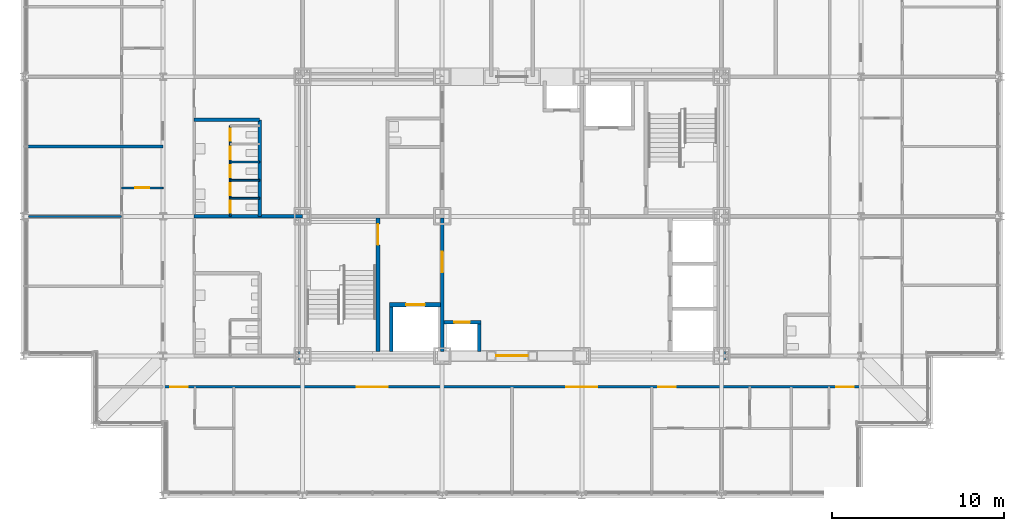
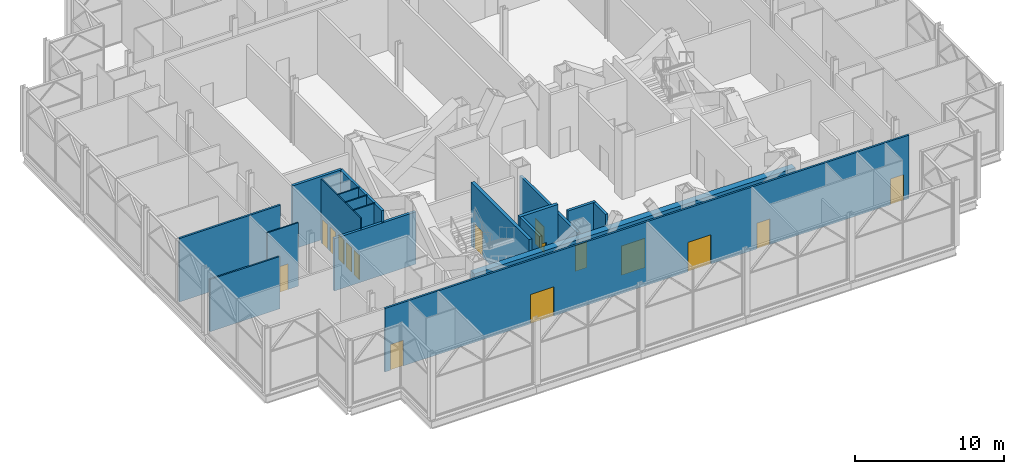
# One storey, part 19 of 26: 18 walls, 16 doors, 16 openings.
"""IFC4 building model written with IfcOpenShell, lengths in metres."""

from ifc_helpers import new_model, si_unit, direction, frame, frame_2d, origin, place, context, subcontext, project, spatial, rectangle, extrude, material, layer, layer_set, type_object, element, fill, save


model = new_model("IFC4")

# Units and contexts
model_context = context("Model", 3, precision=1e-05, world=origin(), true_north=direction((0.0, 1.0)))
body_context = subcontext(model_context, "Body", "Model", "MODEL_VIEW")
ifc_project = project(units=[si_unit("LENGTHUNIT", "METRE"), si_unit("AREAUNIT", "SQUARE_METRE"), si_unit("VOLUMEUNIT", "CUBIC_METRE"), si_unit("PLANEANGLEUNIT", "RADIAN"), si_unit("MASSUNIT", "GRAM", prefix="KILO")], contexts=[model_context])

# Site, building, storey
site_placement = place(None, origin())
site = spatial("IfcSite", under=ifc_project, at=site_placement, CompositionType="ELEMENT")
building_placement = place(site_placement, origin())
building = spatial("IfcBuilding", under=site, at=building_placement, Name="Kopane Lantern Tower", CompositionType="ELEMENT")
storey_placement = place(building_placement, frame((0.0, 0.0, 293.10009765625)))
storey = spatial("IfcBuildingStorey", under=building, at=storey_placement, Name="L75", CompositionType="ELEMENT", Elevation=293.10009765625)

# Wall
ifc_material_1 = material(Name="Gypsum board on steel studs", Category="steel")
ifc_layer_1 = layer(ifc_material_1, 0.1201171875)
ifc_layer_set_1 = layer_set([ifc_layer_1], Name="APARTMENT INTERNAL WALL 120")
wall_type_1 = type_object("IfcWallType", Name="APARTMENT INTERNAL WALL 120", PredefinedType="PARTITIONING", material=ifc_layer_set_1)
wall_1_placement = place(storey_placement, frame((5.699951171875, 32.39990234375, 0.0), z_axis=(0.0, 0.0, 1.0), x_axis=(-1.0, 0.0, 0.0)))
element("IfcWall", 1, at=wall_1_placement, inside=storey, type_object=wall_type_1, Name="Apartment Internal Wall 120 L75", PredefinedType="PARTITIONING", context=body_context, shape_type="SweptSolid", body=[
    extrude(rectangle(XDim=5.39990234375, YDim=0.1201171875, at=frame_2d((2.699951171875, 0.0))), origin(), (0.0, 0.0, 1.0), 4.271484375),
])

# Wall, opening, door
ifc_material_2 = material(Name="Moisture-resistant board on steel studs", Category="steel")
ifc_layer_2 = layer(ifc_material_2, 0.10009765625)
ifc_layer_set_2 = layer_set([ifc_layer_2], Name="BATHROOM WALL 100")
wall_type_2 = type_object("IfcWallType", Name="BATHROOM WALL 100", PredefinedType="PARTITIONING", material=ifc_layer_set_2)
wall_2_placement = place(storey_placement, frame((8.10009765625, 34.050048828125, 0.0), z_axis=(0.0, 0.0, 1.0), x_axis=(-1.0, 0.0, 0.0)))
wall_2 = element("IfcWall", 2, at=wall_2_placement, inside=storey, type_object=wall_type_2, Name="Bathroom Wall 100 L75", PredefinedType="PARTITIONING", context=body_context, shape_type="SweptSolid", body=[
    extrude(rectangle(XDim=2.400146484375, YDim=0.10009765625, at=frame_2d((1.2001953125, 0.0))), origin(), (0.0, 0.0, 1.0), 5.18994140625),
])
opening_1_placement = place(wall_2_placement, frame((0.800048828125, 0.0, 0.0)))
opening_1 = element("IfcOpeningElement", 3, at=opening_1_placement, cuts=wall_2, Name="Opening L75-037", PredefinedType="OPENING", context=body_context, shape_type="SweptSolid", body=[
    extrude(rectangle(XDim=0.800048828125, YDim=2.10009765625, at=frame_2d((0.39990234375, 1.050048828125))), frame((0.0, 0.06005859375, 0.0), z_axis=(0.0, -1.0, 0.0), x_axis=(1.0, 0.0, 0.0)), (0.0, 0.0, 1.0), 0.1201171875),
])
ifc_material_3 = material(Name="Timber door set", Category="wood")
door_type_1 = type_object("IfcDoorType", Name="DOOR D2 800x2100", OperationType="SINGLE_SWING_LEFT", PredefinedType="DOOR", material=ifc_material_3)
door_1_placement = place(opening_1_placement, origin())
door_1 = element("IfcDoor", 4, at=door_1_placement, inside=storey, type_object=door_type_1, Name="Door L75-037", OperationType="SINGLE_SWING_RIGHT", OverallHeight=2.10009765625, OverallWidth=0.800048828125, PredefinedType="DOOR", context=body_context, shape_type="SweptSolid", body=[
    extrude(rectangle(XDim=0.800048828125, YDim=2.10009765625, at=frame_2d((0.39990234375, 1.050048828125))), frame((0.0, 0.02490234375, 0.0), z_axis=(0.0, -1.0, 0.0), x_axis=(1.0, 0.0, 0.0)), (0.0, 0.0, 1.0), 0.050048828125),
])
fill(opening_1, door_1)

# Wall, openings, doors
wall_3_placement = place(storey_placement, frame((12.0, 32.39990234375, 0.0), z_axis=(0.0, 0.0, 1.0), x_axis=(0.0, 1.0, 0.0)))
wall_3 = element("IfcWall", 5, at=wall_3_placement, inside=storey, type_object=wall_type_2, Name="Bathroom Wall 100 L75", PredefinedType="PARTITIONING", context=body_context, shape_type="SweptSolid", body=[
    extrude(rectangle(XDim=5.25, YDim=0.10009765625, at=frame_2d((2.625, 0.0))), origin(), (0.0, 0.0, 1.0), 5.18994140625),
])
opening_2_placement = place(wall_3_placement, frame((0.199951171875, 0.0, 0.0)))
opening_2 = element("IfcOpeningElement", 6, at=opening_2_placement, cuts=wall_3, Name="Opening L75-077", PredefinedType="OPENING", context=body_context, shape_type="SweptSolid", body=[
    extrude(rectangle(XDim=0.699951171875, YDim=2.0, at=frame_2d((0.35009765625, 1.0))), frame((0.0, 0.06005859375, 0.0), z_axis=(0.0, -1.0, 0.0), x_axis=(1.0, 0.0, 0.0)), (0.0, 0.0, 1.0), 0.1201171875),
])
opening_3_placement = place(wall_3_placement, frame((1.22509765625, 0.0, 0.0)))
opening_3 = element("IfcOpeningElement", 7, at=opening_3_placement, cuts=wall_3, Name="Opening L75-078", PredefinedType="OPENING", context=body_context, shape_type="SweptSolid", body=[
    extrude(rectangle(XDim=0.699951171875, YDim=2.0, at=frame_2d((0.35009765625, 1.0))), frame((0.0, 0.06005859375, 0.0), z_axis=(0.0, -1.0, 0.0), x_axis=(1.0, 0.0, 0.0)), (0.0, 0.0, 1.0), 0.1201171875),
])
opening_4_placement = place(wall_3_placement, frame((2.27490234375, 0.0, 0.0)))
opening_4 = element("IfcOpeningElement", 8, at=opening_4_placement, cuts=wall_3, Name="Opening L75-079", PredefinedType="OPENING", context=body_context, shape_type="SweptSolid", body=[
    extrude(rectangle(XDim=0.699951171875, YDim=2.0, at=frame_2d((0.35009765625, 1.0))), frame((0.0, 0.06005859375, 0.0), z_axis=(0.0, -1.0, 0.0), x_axis=(1.0, 0.0, 0.0)), (0.0, 0.0, 1.0), 0.1201171875),
])
opening_5_placement = place(wall_3_placement, frame((3.324951171875, 0.0, 0.0)))
opening_5 = element("IfcOpeningElement", 9, at=opening_5_placement, cuts=wall_3, Name="Opening L75-080", PredefinedType="OPENING", context=body_context, shape_type="SweptSolid", body=[
    extrude(rectangle(XDim=0.699951171875, YDim=2.0, at=frame_2d((0.35009765625, 1.0))), frame((0.0, 0.06005859375, 0.0), z_axis=(0.0, -1.0, 0.0), x_axis=(1.0, 0.0, 0.0)), (0.0, 0.0, 1.0), 0.1201171875),
])
opening_6_placement = place(wall_3_placement, frame((4.375, 0.0, 0.0)))
opening_6 = element("IfcOpeningElement", 10, at=opening_6_placement, cuts=wall_3, Name="Opening L75-081", PredefinedType="OPENING", context=body_context, shape_type="SweptSolid", body=[
    extrude(rectangle(XDim=0.699951171875, YDim=2.0, at=frame_2d((0.35009765625, 1.0))), frame((0.0, 0.06005859375, 0.0), z_axis=(0.0, -1.0, 0.0), x_axis=(1.0, 0.0, 0.0)), (0.0, 0.0, 1.0), 0.1201171875),
])
ifc_material_4 = material(Name="Timber door set", Category="wood")
door_type_2 = type_object("IfcDoorType", Name="DOOR D13 700x2000 WC CUBICLE", OperationType="SINGLE_SWING_LEFT", PredefinedType="DOOR", material=ifc_material_4)
door_2_placement = place(opening_2_placement, origin())
door_2 = element("IfcDoor", 11, at=door_2_placement, inside=storey, type_object=door_type_2, Name="Door L75-077", OperationType="SINGLE_SWING_RIGHT", OverallHeight=2.0, OverallWidth=0.699951171875, PredefinedType="DOOR", context=body_context, shape_type="SweptSolid", body=[
    extrude(rectangle(XDim=0.699951171875, YDim=2.0, at=frame_2d((0.35009765625, 1.0))), frame((0.0, 0.02490234375, 0.0), z_axis=(0.0, -1.0, 0.0), x_axis=(1.0, 0.0, 0.0)), (0.0, 0.0, 1.0), 0.050048828125),
])
fill(opening_2, door_2)
door_3_placement = place(opening_3_placement, origin())
door_3 = element("IfcDoor", 12, at=door_3_placement, inside=storey, type_object=door_type_2, Name="Door L75-078", OperationType="SINGLE_SWING_RIGHT", OverallHeight=2.0, OverallWidth=0.699951171875, PredefinedType="DOOR", context=body_context, shape_type="SweptSolid", body=[
    extrude(rectangle(XDim=0.699951171875, YDim=2.0, at=frame_2d((0.35009765625, 1.0))), frame((0.0, 0.02490234375, 0.0), z_axis=(0.0, -1.0, 0.0), x_axis=(1.0, 0.0, 0.0)), (0.0, 0.0, 1.0), 0.050048828125),
])
fill(opening_3, door_3)
door_4_placement = place(opening_4_placement, origin())
door_4 = element("IfcDoor", 13, at=door_4_placement, inside=storey, type_object=door_type_2, Name="Door L75-079", OperationType="SINGLE_SWING_RIGHT", OverallHeight=2.0, OverallWidth=0.699951171875, PredefinedType="DOOR", context=body_context, shape_type="SweptSolid", body=[
    extrude(rectangle(XDim=0.699951171875, YDim=2.0, at=frame_2d((0.35009765625, 1.0))), frame((0.0, 0.02490234375, 0.0), z_axis=(0.0, -1.0, 0.0), x_axis=(1.0, 0.0, 0.0)), (0.0, 0.0, 1.0), 0.050048828125),
])
fill(opening_4, door_4)
door_5_placement = place(opening_5_placement, origin())
door_5 = element("IfcDoor", 14, at=door_5_placement, inside=storey, type_object=door_type_2, Name="Door L75-080", OperationType="SINGLE_SWING_RIGHT", OverallHeight=2.0, OverallWidth=0.699951171875, PredefinedType="DOOR", context=body_context, shape_type="SweptSolid", body=[
    extrude(rectangle(XDim=0.699951171875, YDim=2.0, at=frame_2d((0.35009765625, 1.0))), frame((0.0, 0.02490234375, 0.0), z_axis=(0.0, -1.0, 0.0), x_axis=(1.0, 0.0, 0.0)), (0.0, 0.0, 1.0), 0.050048828125),
])
fill(opening_5, door_5)
door_6_placement = place(opening_6_placement, origin())
door_6 = element("IfcDoor", 15, at=door_6_placement, inside=storey, type_object=door_type_2, Name="Door L75-081", OperationType="SINGLE_SWING_RIGHT", OverallHeight=2.0, OverallWidth=0.699951171875, PredefinedType="DOOR", context=body_context, shape_type="SweptSolid", body=[
    extrude(rectangle(XDim=0.699951171875, YDim=2.0, at=frame_2d((0.35009765625, 1.0))), frame((0.0, 0.02490234375, 0.0), z_axis=(0.0, -1.0, 0.0), x_axis=(1.0, 0.0, 0.0)), (0.0, 0.0, 1.0), 0.050048828125),
])
fill(opening_6, door_6)

# Walls
for number, where, z_axis, x_axis, name in (
    (16, (12.0, 33.449951171875, 0.0), (0.0, 0.0, 1.0), (1.0, 0.0, 0.0), "Bathroom Wall 100 L75"),
    (17, (12.0, 34.5, 0.0), (0.0, 0.0, 1.0), (1.0, 0.0, 0.0), "Bathroom Wall 100 L75"),
    (18, (12.0, 35.550048828125, 0.0), (0.0, 0.0, 1.0), (1.0, 0.0, 0.0), "Bathroom Wall 100 L75"),
):
    element("IfcWall", number, at=place(storey_placement, frame(where, z_axis=z_axis, x_axis=x_axis)), inside=storey, type_object=wall_type_2, Name=name, PredefinedType="PARTITIONING", context=body_context, shape_type="SweptSolid", body=[
        extrude(rectangle(XDim=1.699951171875, YDim=0.10009765625, at=frame_2d((0.85009765625, 0.0))), origin(), (0.0, 0.0, 1.0), 5.18994140625),
    ])

# Wall, opening, door
ifc_material_5 = material(Name="Gypsum shaft wall EI 120", Category="gypsum")
ifc_layer_3 = layer(ifc_material_5, 0.5)
ifc_layer_set_3 = layer_set([ifc_layer_3], Name="CORE PERIMETER WALL 500 EI 120")
wall_type_3 = type_object("IfcWallType", Name="CORE PERIMETER WALL 500 EI 120", PredefinedType="SOLIDWALL", material=ifc_layer_set_3)
wall_4_placement = place(storey_placement, frame((15.949951171875, 24.300048828125, 0.0), z_axis=(0.0, 0.0, 1.0), x_axis=(1.0, 0.0, 0.0)))
wall_4 = element("IfcWall", 19, at=wall_4_placement, inside=storey, type_object=wall_type_3, Name="Core shaft wall L75 PS", PredefinedType="SOLIDWALL", context=body_context, shape_type="SweptSolid", body=[
    extrude(rectangle(XDim=24.800048828125, YDim=0.5, at=frame_2d((12.39990234375, 0.0))), origin(), (0.0, 0.0, 1.0), 4.271484375),
])
opening_7_placement = place(wall_4_placement, frame((11.5, 0.0, 0.0)))
opening_7 = element("IfcOpeningElement", 20, at=opening_7_placement, cuts=wall_4, Name="Opening 75.CE-S", PredefinedType="OPENING", context=body_context, shape_type="SweptSolid", body=[
    extrude(rectangle(XDim=1.800048828125, YDim=2.39990234375, at=frame_2d((0.89990234375, 1.199951171875))), frame((0.0, 0.260009765625, 0.0), z_axis=(0.0, -1.0, 0.0), x_axis=(1.0, 0.0, 0.0)), (0.0, 0.0, 1.0), 0.52001953125),
])
ifc_material_6 = material(Name="Steel door set", Category="steel")
door_type_3 = type_object("IfcDoorType", Name="CORE ENTRY DOOR 1800x2400 FD60S", OperationType="DOUBLE_DOOR_SINGLE_SWING", PredefinedType="DOOR", material=ifc_material_6)
door_7_placement = place(opening_7_placement, origin())
door_7 = element("IfcDoor", 21, at=door_7_placement, inside=storey, type_object=door_type_3, Name="Core entry door L75 south", OperationType="DOUBLE_DOOR_SINGLE_SWING", OverallHeight=2.39990234375, OverallWidth=1.800048828125, PredefinedType="DOOR", context=body_context, shape_type="SweptSolid", body=[
    extrude(rectangle(XDim=1.800048828125, YDim=2.39990234375, at=frame_2d((0.89990234375, 1.199951171875))), frame((0.0, 0.02490234375, 0.0), z_axis=(0.0, -1.0, 0.0), x_axis=(1.0, 0.0, 0.0)), (0.0, 0.0, 1.0), 0.050048828125),
])
fill(opening_7, door_7)

ifc_material_7 = material(Name="Gypsum shaft wall EI 120", Category="gypsum")
ifc_layer_4 = layer(ifc_material_7, 0.25)
ifc_layer_set_4 = layer_set([ifc_layer_4], Name="CORE SHAFT WALL 250 EI 120")
wall_type_4 = type_object("IfcWallType", Name="CORE SHAFT WALL 250 EI 120", PredefinedType="SOLIDWALL", material=ifc_layer_set_4)
wall_5_placement = place(storey_placement, frame((20.574951171875, 24.550048828125, 0.0), z_axis=(0.0, 0.0, 1.0), x_axis=(0.0, 1.0, 0.0)))
wall_5 = element("IfcWall", 22, at=wall_5_placement, inside=storey, type_object=wall_type_4, Name="Core shaft wall L75 XST1", PredefinedType="SOLIDWALL", context=body_context, shape_type="SweptSolid", body=[
    extrude(rectangle(XDim=7.75, YDim=0.25, at=frame_2d((3.875, 0.0))), origin(), (0.0, 0.0, 1.0), 5.18994140625),
])
opening_8_placement = place(wall_5_placement, frame((6.199951171875, 0.0, 0.0)))
opening_8 = element("IfcOpeningElement", 23, at=opening_8_placement, cuts=wall_5, Name="Opening 75.SD1", PredefinedType="OPENING", context=body_context, shape_type="SweptSolid", body=[
    extrude(rectangle(XDim=1.199951171875, YDim=2.10009765625, at=frame_2d((0.60009765625, 1.050048828125))), frame((0.0, 0.135009765625, 0.0), z_axis=(0.0, -1.0, 0.0), x_axis=(1.0, 0.0, 0.0)), (0.0, 0.0, 1.0), 0.27001953125),
])
ifc_material_8 = material(Name="Steel door set", Category="steel")
door_type_4 = type_object("IfcDoorType", Name="STAIR DOOR 1200x2100 FD60S", OperationType="SINGLE_SWING_LEFT", PredefinedType="DOOR", material=ifc_material_8)
door_8_placement = place(opening_8_placement, origin())
door_8 = element("IfcDoor", 24, at=door_8_placement, inside=storey, type_object=door_type_4, Name="Stair door ST1 L75", OperationType="SINGLE_SWING_LEFT", OverallHeight=2.10009765625, OverallWidth=1.199951171875, PredefinedType="DOOR", context=body_context, shape_type="SweptSolid", body=[
    extrude(rectangle(XDim=1.199951171875, YDim=2.10009765625, at=frame_2d((0.60009765625, 1.050048828125))), frame((0.0, 0.02490234375, 0.0), z_axis=(0.0, -1.0, 0.0), x_axis=(1.0, 0.0, 0.0)), (0.0, 0.0, 1.0), 0.050048828125),
])
fill(opening_8, door_8)

wall_6_placement = place(storey_placement, frame((21.25, 27.27490234375, 0.0), z_axis=(0.0, 0.0, 1.0), x_axis=(1.0, 0.0, 0.0)))
wall_6 = element("IfcWall", 25, at=wall_6_placement, inside=storey, type_object=wall_type_4, Name="Core shaft wall L75 YLF1", PredefinedType="SOLIDWALL", context=body_context, shape_type="SweptSolid", body=[
    extrude(rectangle(XDim=2.949951171875, YDim=0.25, at=frame_2d((1.47509765625, 0.0))), origin(), (0.0, 0.0, 1.0), 5.18994140625),
])
opening_9_placement = place(wall_6_placement, frame((0.949951171875, 0.0, 0.0)))
opening_9 = element("IfcOpeningElement", 26, at=opening_9_placement, cuts=wall_6, Name="Opening 75.LD-LF1", PredefinedType="OPENING", context=body_context, shape_type="SweptSolid", body=[
    extrude(rectangle(XDim=1.10009765625, YDim=2.39990234375, at=frame_2d((0.550048828125, 1.199951171875))), frame((0.0, 0.135009765625, 0.0), z_axis=(0.0, -1.0, 0.0), x_axis=(1.0, 0.0, 0.0)), (0.0, 0.0, 1.0), 0.27001953125),
])
ifc_material_9 = material(Name="Steel door set", Category="steel")
door_type_5 = type_object("IfcDoorType", Name="LIFT LANDING DOOR 1100x2400 FD60", OperationType="DOUBLE_DOOR_SLIDING", PredefinedType="DOOR", material=ifc_material_9)
door_9_placement = place(opening_9_placement, origin())
door_9 = element("IfcDoor", 27, at=door_9_placement, inside=storey, type_object=door_type_5, Name="Landing door LF1 L75", OperationType="DOUBLE_DOOR_SLIDING", OverallHeight=2.39990234375, OverallWidth=1.10009765625, PredefinedType="DOOR", context=body_context, shape_type="SweptSolid", body=[
    extrude(rectangle(XDim=1.10009765625, YDim=2.39990234375, at=frame_2d((0.550048828125, 1.199951171875))), frame((0.0, 0.02490234375, 0.0), z_axis=(0.0, -1.0, 0.0), x_axis=(1.0, 0.0, 0.0)), (0.0, 0.0, 1.0), 0.050048828125),
])
fill(opening_9, door_9)

# Wall, openings, doors
ifc_material_10 = material(Name="Gypsum board on steel studs", Category="steel")
ifc_layer_5 = layer(ifc_material_10, 0.14990234375)
ifc_layer_set_5 = layer_set([ifc_layer_5], Name="CORRIDOR WALL 150 EI 60")
wall_type_5 = type_object("IfcWallType", Name="CORRIDOR WALL 150 EI 60", PredefinedType="PARTITIONING", material=ifc_layer_set_5)
wall_7_placement = place(storey_placement, frame((8.10009765625, 22.5, 0.0), z_axis=(0.0, 0.0, 1.0), x_axis=(1.0, 0.0, 0.0)))
wall_7 = element("IfcWall", 28, at=wall_7_placement, inside=storey, type_object=wall_type_5, Name="Corridor Wall 150 Ei 60 L75", PredefinedType="PARTITIONING", context=body_context, shape_type="SweptSolid", body=[
    extrude(rectangle(XDim=40.5, YDim=0.14990234375, at=frame_2d((20.25, 0.0))), origin(), (0.0, 0.0, 1.0), 5.18994140625),
])
opening_10_placement = place(wall_7_placement, frame((11.25, 0.0, 0.0)))
opening_10 = element("IfcOpeningElement", 29, at=opening_10_placement, cuts=wall_7, Name="Opening L75-014", PredefinedType="OPENING", context=body_context, shape_type="SweptSolid", body=[
    extrude(rectangle(XDim=1.800048828125, YDim=2.39990234375, at=frame_2d((0.89990234375, 1.199951171875))), frame((0.0, 0.0849609375, 0.0), z_axis=(0.0, -1.0, 0.0), x_axis=(1.0, 0.0, 0.0)), (0.0, 0.0, 1.0), 0.169921875),
])
opening_11_placement = place(wall_7_placement, frame((23.39990234375, 0.0, 0.0)))
opening_11 = element("IfcOpeningElement", 30, at=opening_11_placement, cuts=wall_7, Name="Opening L75-015", PredefinedType="OPENING", context=body_context, shape_type="SweptSolid", body=[
    extrude(rectangle(XDim=1.800048828125, YDim=2.39990234375, at=frame_2d((0.89990234375, 1.199951171875))), frame((0.0, 0.0849609375, 0.0), z_axis=(0.0, -1.0, 0.0), x_axis=(1.0, 0.0, 0.0)), (0.0, 0.0, 1.0), 0.169921875),
])
opening_12_placement = place(wall_7_placement, frame((28.75, 0.0, 0.0)))
opening_12 = element("IfcOpeningElement", 31, at=opening_12_placement, cuts=wall_7, Name="Opening L75-017", PredefinedType="OPENING", context=body_context, shape_type="SweptSolid", body=[
    extrude(rectangle(XDim=1.0, YDim=2.10009765625, at=frame_2d((0.5, 1.050048828125))), frame((0.0, 0.0849609375, 0.0), z_axis=(0.0, -1.0, 0.0), x_axis=(1.0, 0.0, 0.0)), (0.0, 0.0, 1.0), 0.169921875),
])
opening_13_placement = place(wall_7_placement, frame((0.425048828125, 0.0, 0.0)))
opening_13 = element("IfcOpeningElement", 32, at=opening_13_placement, cuts=wall_7, Name="Opening L75-068", PredefinedType="OPENING", context=body_context, shape_type="SweptSolid", body=[
    extrude(rectangle(XDim=1.0, YDim=2.10009765625, at=frame_2d((0.5, 1.050048828125))), frame((0.0, 0.0849609375, 0.0), z_axis=(0.0, -1.0, 0.0), x_axis=(1.0, 0.0, 0.0)), (0.0, 0.0, 1.0), 0.169921875),
])
opening_14_placement = place(wall_7_placement, frame((39.074951171875, 0.0, 0.0)))
opening_14 = element("IfcOpeningElement", 33, at=opening_14_placement, cuts=wall_7, Name="Opening L75-070", PredefinedType="OPENING", context=body_context, shape_type="SweptSolid", body=[
    extrude(rectangle(XDim=1.0, YDim=2.10009765625, at=frame_2d((0.5, 1.050048828125))), frame((0.0, 0.0849609375, 0.0), z_axis=(0.0, -1.0, 0.0), x_axis=(1.0, 0.0, 0.0)), (0.0, 0.0, 1.0), 0.169921875),
])
ifc_material_11 = material(Name="Steel door set", Category="steel")
door_type_6 = type_object("IfcDoorType", Name="DOOR D3 1000x2100 FD30S", OperationType="SINGLE_SWING_LEFT", PredefinedType="DOOR", material=ifc_material_11)
door_10_placement = place(opening_12_placement, origin())
door_10 = element("IfcDoor", 34, at=door_10_placement, inside=storey, type_object=door_type_6, Name="Door L75-017", OperationType="SINGLE_SWING_RIGHT", OverallHeight=2.10009765625, OverallWidth=1.0, PredefinedType="DOOR", context=body_context, shape_type="SweptSolid", body=[
    extrude(rectangle(XDim=1.0, YDim=2.10009765625, at=frame_2d((0.5, 1.050048828125))), frame((0.0, 0.02490234375, 0.0), z_axis=(0.0, -1.0, 0.0), x_axis=(1.0, 0.0, 0.0)), (0.0, 0.0, 1.0), 0.050048828125),
])
fill(opening_12, door_10)
door_11_placement = place(opening_13_placement, origin())
door_11 = element("IfcDoor", 35, at=door_11_placement, inside=storey, type_object=door_type_6, Name="Door L75-068", OperationType="SINGLE_SWING_LEFT", OverallHeight=2.10009765625, OverallWidth=1.0, PredefinedType="DOOR", context=body_context, shape_type="SweptSolid", body=[
    extrude(rectangle(XDim=1.0, YDim=2.10009765625, at=frame_2d((0.5, 1.050048828125))), frame((0.0, 0.02490234375, 0.0), z_axis=(0.0, -1.0, 0.0), x_axis=(1.0, 0.0, 0.0)), (0.0, 0.0, 1.0), 0.050048828125),
])
fill(opening_13, door_11)
door_12_placement = place(opening_14_placement, origin())
door_12 = element("IfcDoor", 36, at=door_12_placement, inside=storey, type_object=door_type_6, Name="Door L75-070", OperationType="SINGLE_SWING_RIGHT", OverallHeight=2.10009765625, OverallWidth=1.0, PredefinedType="DOOR", context=body_context, shape_type="SweptSolid", body=[
    extrude(rectangle(XDim=1.0, YDim=2.10009765625, at=frame_2d((0.5, 1.050048828125))), frame((0.0, 0.02490234375, 0.0), z_axis=(0.0, -1.0, 0.0), x_axis=(1.0, 0.0, 0.0)), (0.0, 0.0, 1.0), 0.050048828125),
])
fill(opening_14, door_12)
ifc_material_12 = material(Name="Steel door set", Category="steel")
door_type_7 = type_object("IfcDoorType", Name="DOOR D6 1800x2400 FD30S", OperationType="SINGLE_SWING_LEFT", PredefinedType="DOOR", material=ifc_material_12)
door_13_placement = place(opening_10_placement, origin())
door_13 = element("IfcDoor", 37, at=door_13_placement, inside=storey, type_object=door_type_7, Name="Door L75-014", OperationType="DOUBLE_DOOR_SINGLE_SWING", OverallHeight=2.39990234375, OverallWidth=1.800048828125, PredefinedType="DOOR", context=body_context, shape_type="SweptSolid", body=[
    extrude(rectangle(XDim=1.800048828125, YDim=2.39990234375, at=frame_2d((0.89990234375, 1.199951171875))), frame((0.0, 0.02490234375, 0.0), z_axis=(0.0, -1.0, 0.0), x_axis=(1.0, 0.0, 0.0)), (0.0, 0.0, 1.0), 0.050048828125),
])
fill(opening_10, door_13)
door_14_placement = place(opening_11_placement, origin())
door_14 = element("IfcDoor", 38, at=door_14_placement, inside=storey, type_object=door_type_7, Name="Door L75-015", OperationType="DOUBLE_DOOR_SINGLE_SWING", OverallHeight=2.39990234375, OverallWidth=1.800048828125, PredefinedType="DOOR", context=body_context, shape_type="SweptSolid", body=[
    extrude(rectangle(XDim=1.800048828125, YDim=2.39990234375, at=frame_2d((0.89990234375, 1.199951171875))), frame((0.0, 0.02490234375, 0.0), z_axis=(0.0, -1.0, 0.0), x_axis=(1.0, 0.0, 0.0)), (0.0, 0.0, 1.0), 0.050048828125),
])
fill(opening_11, door_14)

# Walls
ifc_material_13 = material(Name="Gypsum board on steel studs", Category="steel")
ifc_layer_6 = layer(ifc_material_13, 0.14990234375)
ifc_layer_set_6 = layer_set([ifc_layer_6], Name="DEMISING WALL 150 EI 60")
wall_type_6 = type_object("IfcWallType", Name="DEMISING WALL 150 EI 60", PredefinedType="PARTITIONING", material=ifc_layer_set_6)
wall_8_placement = place(storey_placement, frame((8.10009765625, 36.449951171875, 0.0), z_axis=(0.0, 0.0, 1.0), x_axis=(-1.0, 0.0, 0.0)))
element("IfcWall", 39, at=wall_8_placement, inside=storey, type_object=wall_type_6, Name="Demising Wall 150 Ei 60 L75", PredefinedType="PARTITIONING", context=body_context, shape_type="SweptSolid", body=[
    extrude(rectangle(XDim=7.822021484375, YDim=0.14990234375, at=frame_2d((3.9111328125, 0.0))), origin(), (0.0, 0.0, 1.0), 5.18994140625),
])
ifc_material_14 = material(Name="Concrete masonry", Category="masonry")
ifc_layer_7 = layer(ifc_material_14, 0.199951171875)
ifc_layer_set_7 = layer_set([ifc_layer_7], Name="PLANT ROOM WALL 200 EI 120")
wall_type_7 = type_object("IfcWallType", Name="PLANT ROOM WALL 200 EI 120", PredefinedType="SOLIDWALL", material=ifc_layer_set_7)
wall_9_placement = place(storey_placement, frame((9.89990234375, 32.39990234375, 0.0), z_axis=(0.0, 0.0, 1.0), x_axis=(1.0, 0.0, 0.0)))
element("IfcWall", 40, at=wall_9_placement, inside=storey, type_object=wall_type_7, Name="Plant Room Wall 200 Ei 120 L75", PredefinedType="SOLIDWALL", context=body_context, shape_type="SweptSolid", body=[
    extrude(rectangle(XDim=6.300048828125, YDim=0.199951171875, at=frame_2d((3.14990234375, 0.0))), origin(), (0.0, 0.0, 1.0), 4.271484375),
])
wall_10_placement = place(storey_placement, frame((9.89990234375, 38.0, 0.0), z_axis=(0.0, 0.0, 1.0), x_axis=(1.0, 0.0, 0.0)))
element("IfcWall", 41, at=wall_10_placement, inside=storey, type_object=wall_type_7, Name="Plant Room Wall 200 Ei 120 L75", PredefinedType="SOLIDWALL", context=body_context, shape_type="SweptSolid", body=[
    extrude(rectangle(XDim=3.800048828125, YDim=0.199951171875, at=frame_2d((1.89990234375, 0.0))), origin(), (0.0, 0.0, 1.0), 5.18994140625),
])
wall_11_placement = place(storey_placement, frame((13.699951171875, 32.39990234375, 0.0), z_axis=(0.0, 0.0, 1.0), x_axis=(0.0, 1.0, 0.0)))
element("IfcWall", 42, at=wall_11_placement, inside=storey, type_object=wall_type_7, Name="Plant Room Wall 200 Ei 120 L75", PredefinedType="SOLIDWALL", context=body_context, shape_type="SweptSolid", body=[
    extrude(rectangle(XDim=5.60009765625, YDim=0.199951171875, at=frame_2d((2.800048828125, 0.0))), origin(), (0.0, 0.0, 1.0), 5.18994140625),
])

# Wall, opening, door
ifc_material_15 = material(Name="Gypsum shaft wall EI 120", Category="gypsum")
ifc_layer_8 = layer(ifc_material_15, 0.199951171875)
ifc_layer_set_8 = layer_set([ifc_layer_8], Name="SHAFT WALL 200 EI 120")
wall_type_8 = type_object("IfcWallType", Name="SHAFT WALL 200 EI 120", PredefinedType="SOLIDWALL", material=ifc_layer_set_8)
wall_12_placement = place(storey_placement, frame((24.300048828125, 24.550048828125, 0.0), z_axis=(0.0, 0.0, 1.0), x_axis=(0.0, 1.0, 0.0)))
wall_12 = element("IfcWall", 43, at=wall_12_placement, inside=storey, type_object=wall_type_8, Name="Core shaft wall L75 X243", PredefinedType="SOLIDWALL", context=body_context, shape_type="SweptSolid", body=[
    extrude(rectangle(XDim=7.75, YDim=0.199951171875, at=frame_2d((3.875, 0.0))), origin(), (0.0, 0.0, 1.0), 4.427734375),
])
opening_15_placement = place(wall_12_placement, frame((4.60009765625, 0.0, 0.0)))
opening_15 = element("IfcOpeningElement", 44, at=opening_15_placement, cuts=wall_12, Name="Opening 75.FL1", PredefinedType="OPENING", context=body_context, shape_type="SweptSolid", body=[
    extrude(rectangle(XDim=1.199951171875, YDim=2.10009765625, at=frame_2d((0.60009765625, 1.050048828125))), frame((0.0, 0.10986328125, 0.0), z_axis=(0.0, -1.0, 0.0), x_axis=(1.0, 0.0, 0.0)), (0.0, 0.0, 1.0), 0.219970703125),
])
ifc_material_16 = material(Name="Steel door set", Category="steel")
door_type_8 = type_object("IfcDoorType", Name="FIREFIGHTING LOBBY DOOR 1200x2100 FD60S", OperationType="SINGLE_SWING_RIGHT", PredefinedType="DOOR", material=ifc_material_16)
door_15_placement = place(opening_15_placement, origin())
door_15 = element("IfcDoor", 45, at=door_15_placement, inside=storey, type_object=door_type_8, Name="Firefighting lobby door FL1 L75", OperationType="SINGLE_SWING_LEFT", OverallHeight=2.10009765625, OverallWidth=1.199951171875, PredefinedType="DOOR", context=body_context, shape_type="SweptSolid", body=[
    extrude(rectangle(XDim=1.199951171875, YDim=2.10009765625, at=frame_2d((0.60009765625, 1.050048828125))), frame((0.0, 0.02490234375, 0.0), z_axis=(0.0, -1.0, 0.0), x_axis=(1.0, 0.0, 0.0)), (0.0, 0.0, 1.0), 0.050048828125),
])
fill(opening_15, door_15)

# Walls
wall_13_placement = place(storey_placement, frame((21.35009765625, 24.550048828125, 0.0), z_axis=(0.0, 0.0, 1.0), x_axis=(0.0, 1.0, 0.0)))
element("IfcWall", 46, at=wall_13_placement, inside=storey, type_object=wall_type_8, Name="Core shaft wall L75 XLF1", PredefinedType="SOLIDWALL", context=body_context, shape_type="SweptSolid", body=[
    extrude(rectangle(XDim=2.599853515625, YDim=0.199951171875, at=frame_2d((1.2998046875, 0.0))), origin(), (0.0, 0.0, 1.0), 5.18994140625),
])
wall_14_placement = place(storey_placement, frame((26.449951171875, 24.550048828125, 0.0), z_axis=(0.0, 0.0, 1.0), x_axis=(0.0, 1.0, 0.0)))
element("IfcWall", 47, at=wall_14_placement, inside=storey, type_object=wall_type_8, Name="Core shaft wall L75 XRS1", PredefinedType="SOLIDWALL", context=body_context, shape_type="SweptSolid", body=[
    extrude(rectangle(XDim=1.599853515625, YDim=0.199951171875, at=frame_2d((0.7998046875, 0.0))), origin(), (0.0, 0.0, 1.0), 5.18994140625),
])

# Wall, opening, door
wall_15_placement = place(storey_placement, frame((24.39990234375, 26.25, 0.0), z_axis=(0.0, 0.0, 1.0), x_axis=(1.0, 0.0, 0.0)))
wall_15 = element("IfcWall", 48, at=wall_15_placement, inside=storey, type_object=wall_type_8, Name="Core shaft wall L75 YRS1", PredefinedType="SOLIDWALL", context=body_context, shape_type="SweptSolid", body=[
    extrude(rectangle(XDim=2.150146484375, YDim=0.199951171875, at=frame_2d((1.0751953125, 0.0))), origin(), (0.0, 0.0, 1.0), 5.18994140625),
])
opening_16_placement = place(wall_15_placement, frame((0.60009765625, 0.0, 0.0)))
opening_16 = element("IfcOpeningElement", 49, at=opening_16_placement, cuts=wall_15, Name="Opening 75.RS1", PredefinedType="OPENING", context=body_context, shape_type="SweptSolid", body=[
    extrude(rectangle(XDim=0.89990234375, YDim=2.10009765625, at=frame_2d((0.449951171875, 1.050048828125))), frame((0.0, 0.10986328125, 0.0), z_axis=(0.0, -1.0, 0.0), x_axis=(1.0, 0.0, 0.0)), (0.0, 0.0, 1.0), 0.219970703125),
])
ifc_material_17 = material(Name="Steel door set", Category="steel")
door_type_9 = type_object("IfcDoorType", Name="RISER ACCESS DOOR 900x2100 FD60", OperationType="SINGLE_SWING_LEFT", PredefinedType="DOOR", material=ifc_material_17)
door_16_placement = place(opening_16_placement, origin())
door_16 = element("IfcDoor", 50, at=door_16_placement, inside=storey, type_object=door_type_9, Name="Riser access door RS1 L75", OperationType="SINGLE_SWING_LEFT", OverallHeight=2.10009765625, OverallWidth=0.89990234375, PredefinedType="DOOR", context=body_context, shape_type="SweptSolid", body=[
    extrude(rectangle(XDim=0.89990234375, YDim=2.10009765625, at=frame_2d((0.449951171875, 1.050048828125))), frame((0.0, 0.02490234375, 0.0), z_axis=(0.0, -1.0, 0.0), x_axis=(1.0, 0.0, 0.0)), (0.0, 0.0, 1.0), 0.050048828125),
])
fill(opening_16, door_16)

save(model, "model.ifc")
